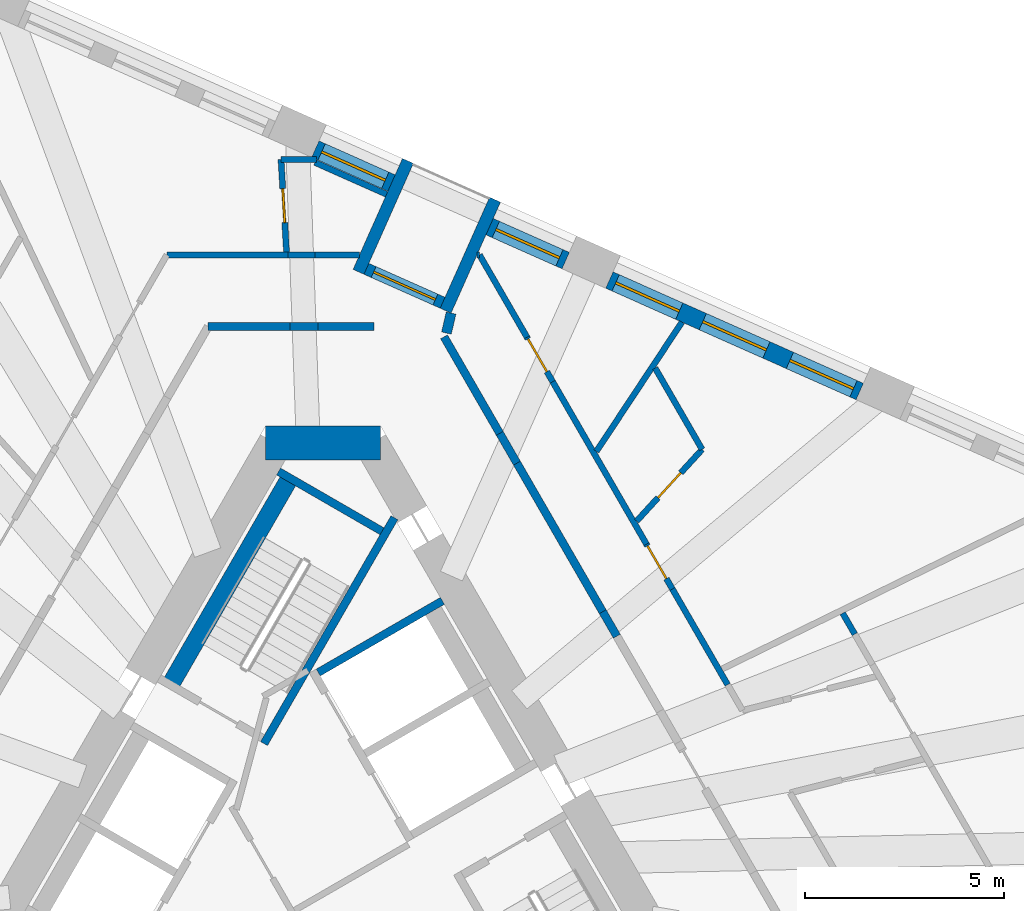
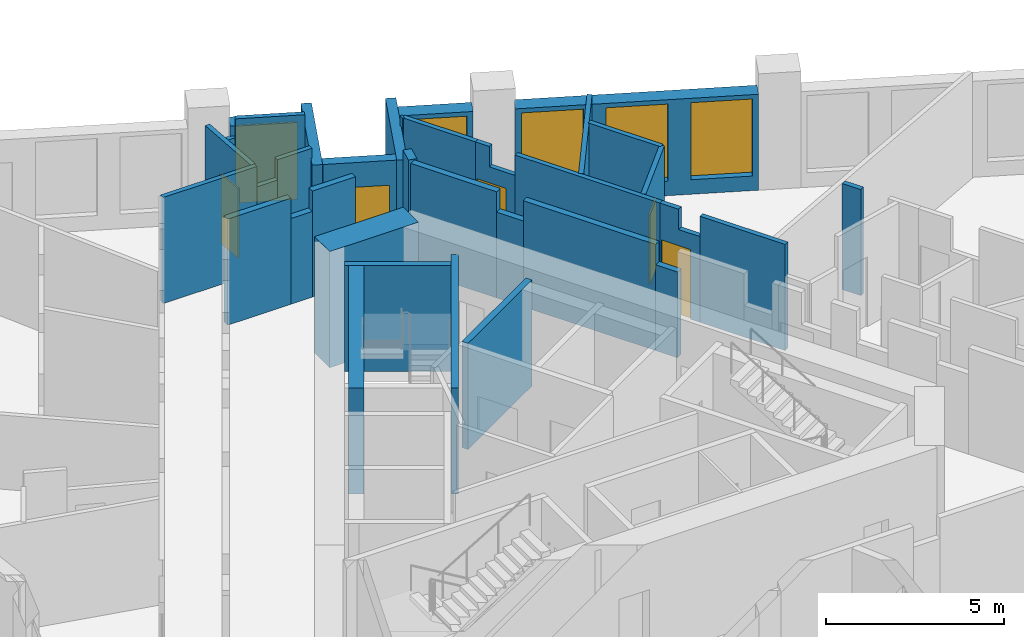
# One storey, part 8 of 14: 35 walls, 5 doors, 5 windows, 10 openings.
"""IFC4 building model written with IfcOpenShell, lengths in metres."""

from ifc_helpers import new_model, si_unit, direction, frame, frame_2d, origin, place, context, subcontext, project, spatial, polyline, rectangle, outline, extrude, material, layer, layer_set, type_object, element, fill, save


model = new_model("IFC4")

# Units and contexts
model_context = context("Model", 3, precision=1e-05, world=origin(), true_north=direction((0.0, 1.0)))
body_context = subcontext(model_context, "Body", "Model", "MODEL_VIEW")
ifc_project = project(units=[si_unit("LENGTHUNIT", "METRE"), si_unit("AREAUNIT", "SQUARE_METRE"), si_unit("VOLUMEUNIT", "CUBIC_METRE"), si_unit("PLANEANGLEUNIT", "RADIAN"), si_unit("MASSUNIT", "GRAM", prefix="KILO")], contexts=[model_context])

# Site, building, storey
site_placement = place(None, origin())
site = spatial("IfcSite", under=ifc_project, at=site_placement, CompositionType="ELEMENT")
building_placement = place(site_placement, origin())
building = spatial("IfcBuilding", under=site, at=building_placement, Name="Tramontana Tower", CompositionType="ELEMENT")
storey_placement = place(building_placement, frame((0.0, 0.0, 178.800048828125)))
storey = spatial("IfcBuildingStorey", under=building, at=storey_placement, Name="L41", CompositionType="ELEMENT", Elevation=178.800048828125)

# Walls
ifc_material_1 = material(Name="Concrete 70 MPa", Category="concrete")
ifc_layer_1 = layer(ifc_material_1, 0.85009765625)
ifc_layer_set_1 = layer_set([ifc_layer_1], Name="Core wall 850 70 MPa")
wall_type_1 = type_object("IfcWallType", Name="Core wall 850 70 MPa", PredefinedType="SHEAR", material=ifc_layer_set_1)
wall_1_placement = place(storey_placement, frame((1.443359375, 10.574951171875, 0.0), z_axis=(0.0, 0.0, 1.0), x_axis=(-1.0, 0.0, 0.0)))
element("IfcWall", 1, at=wall_1_placement, inside=storey, type_object=wall_type_1, Name="Core wall C0 L41", PredefinedType="SHEAR", context=body_context, shape_type="SweptSolid", body=[
    extrude(rectangle(XDim=2.88671875, YDim=0.85009765625, at=frame_2d((1.443359375, 0.0))), origin(), (0.0, 0.0, 1.0), 4.0),
])
ifc_material_2 = material(Name="Blockwork", Category="masonry")
ifc_layer_2 = layer(ifc_material_2, 0.199951171875)
ifc_layer_set_2 = layer_set([ifc_layer_2], Name="ENTRY WALL 200")
wall_type_2 = type_object("IfcWallType", Name="ENTRY WALL 200", PredefinedType="SOLIDWALL", material=ifc_layer_set_2)
wall_2_placement = place(storey_placement, frame((3.034912109375, 13.243408203125, 0.0), z_axis=(0.0, 0.0, 1.0), x_axis=(0.499976698542, -0.86603885647, 0.0)))
element("IfcWall", 2, at=wall_2_placement, inside=storey, type_object=wall_type_2, Name="Wall v41-ew0-0", PredefinedType="SOLIDWALL", context=body_context, shape_type="SweptSolid", body=[
    extrude(rectangle(XDim=2.798583984375, YDim=0.199951171875, at=frame_2d((1.3994140625, 0.0))), origin(), (0.0, 0.0, 1.0), 3.64990234375),
])
wall_3_placement = place(storey_placement, frame((4.43408203125, 10.81982421875, 0.0), z_axis=(0.0, 0.0, 1.0), x_axis=(0.500023708017, -0.866011715522, 0.0)))
element("IfcWall", 3, at=wall_3_placement, inside=storey, type_object=wall_type_2, Name="Wall v41-ew0-1", PredefinedType="SOLIDWALL", context=body_context, shape_type="SweptSolid", body=[
    extrude(rectangle(XDim=0.865234375, YDim=0.199951171875, at=frame_2d((0.4326171875, 0.0))), origin(), (0.0, 0.0, 1.0), 2.949951171875),
])
wall_4_placement = place(storey_placement, frame((4.86669921875, 10.070556640625, 0.0), z_axis=(0.0, 0.0, 1.0), x_axis=(0.499992344383, -0.866029823712, 0.0)))
element("IfcWall", 4, at=wall_4_placement, inside=storey, type_object=wall_type_2, Name="Wall v41-ew0-2", PredefinedType="SOLIDWALL", context=body_context, shape_type="SweptSolid", body=[
    extrude(rectangle(XDim=4.306640625, YDim=0.199951171875, at=frame_2d((2.1533203125, 0.0))), origin(), (0.0, 0.0, 1.0), 3.64990234375),
])
wall_5_placement = place(storey_placement, frame((7.02001953125, 6.3408203125, 0.0), z_axis=(0.0, 0.0, 1.0), x_axis=(0.50012879774, -0.865951029603, 0.0)))
element("IfcWall", 5, at=wall_5_placement, inside=storey, type_object=wall_type_2, Name="Wall v41-ew0-3", PredefinedType="SOLIDWALL", context=body_context, shape_type="SweptSolid", body=[
    extrude(rectangle(XDim=0.710693359375, YDim=0.199951171875, at=frame_2d((0.35546875, 0.0))), origin(), (0.0, 0.0, 1.0), 2.949951171875),
])
wall_6_placement = place(storey_placement, frame((-2.88671875, 13.5, 0.0), z_axis=(0.0, 0.0, 1.0), x_axis=(1.0, 0.0, 0.0)))
element("IfcWall", 6, at=wall_6_placement, inside=storey, type_object=wall_type_2, Name="Wall v41-ew5-0", PredefinedType="SOLIDWALL", context=body_context, shape_type="SweptSolid", body=[
    extrude(rectangle(XDim=2.057861328125, YDim=0.199951171875, at=frame_2d((1.02880859375, 0.0))), origin(), (0.0, 0.0, 1.0), 3.64990234375),
])
wall_7_placement = place(storey_placement, frame((-0.828857421875, 13.5, 0.0), z_axis=(0.0, 0.0, 1.0), x_axis=(1.0, 0.0, 0.0)))
element("IfcWall", 7, at=wall_7_placement, inside=storey, type_object=wall_type_2, Name="Wall v41-ew5-1", PredefinedType="SOLIDWALL", context=body_context, shape_type="SweptSolid", body=[
    extrude(rectangle(XDim=0.700439453125, YDim=0.199951171875, at=frame_2d((0.35009765625, 0.0))), origin(), (0.0, 0.0, 1.0), 2.949951171875),
])
wall_8_placement = place(storey_placement, frame((-0.12841796875, 13.5, 0.0), z_axis=(0.0, 0.0, 1.0), x_axis=(1.0, 0.0, 0.0)))
element("IfcWall", 8, at=wall_8_placement, inside=storey, type_object=wall_type_2, Name="Wall v41-ew5-2", PredefinedType="SOLIDWALL", context=body_context, shape_type="SweptSolid", body=[
    extrude(rectangle(XDim=1.39990234375, YDim=0.199951171875, at=frame_2d((0.699951171875, 0.0))), origin(), (0.0, 0.0, 1.0), 3.64990234375),
])

# Wall, openings, windows
ifc_material_3 = material(Name="Precast concrete 60 MPa", Category="concrete")
ifc_layer_3 = layer(ifc_material_3, 0.449951171875)
ifc_layer_set_3 = layer_set([ifc_layer_3], Name="Precast concrete 60 MPa, 450 mm")
wall_type_3 = type_object("IfcWallType", Name="EW1 Stone-faced precast wall 450", PredefinedType="SOLIDWALL", material=ifc_layer_set_3)
wall_9_placement = place(storey_placement, frame((13.475830078125, 11.8701171875, 0.0), z_axis=(0.0, 0.0, 1.0), x_axis=(-0.913543675585, 0.40674064562, 0.0)))
wall_9 = element("IfcWall", 9, at=wall_9_placement, inside=storey, type_object=wall_type_3, Name="External wall L41 face 2 bay 3", PredefinedType="SOLIDWALL", context=body_context, shape_type="SweptSolid", body=[
    extrude(rectangle(XDim=6.8828125, YDim=0.449951171875, at=frame_2d((3.44140625, 0.0))), origin(), (0.0, 0.0, 1.0), 3.300048828125),
])
opening_1_placement = place(wall_9_placement, frame((0.172119140625, 0.0, 0.5)))
opening_1 = element("IfcOpeningElement", 10, at=opening_1_placement, cuts=wall_9, Name="Opening M2", PredefinedType="OPENING", context=body_context, shape_type="SweptSolid", body=[
    extrude(rectangle(XDim=1.75, YDim=2.64990234375, at=frame_2d((0.875, 1.324951171875))), frame((0.0, 0.23486328125, 0.0), z_axis=(0.0, -1.0, 0.0), x_axis=(1.0, 0.0, 0.0)), (0.0, 0.0, 1.0), 0.469970703125),
])
opening_2_placement = place(wall_9_placement, frame((2.56640625, 0.0, 0.5)))
opening_2 = element("IfcOpeningElement", 11, at=opening_2_placement, cuts=wall_9, Name="Opening M2", PredefinedType="OPENING", context=body_context, shape_type="SweptSolid", body=[
    extrude(rectangle(XDim=1.75, YDim=2.64990234375, at=frame_2d((0.875, 1.324951171875))), frame((0.0, 0.23486328125, 0.0), z_axis=(0.0, -1.0, 0.0), x_axis=(1.0, 0.0, 0.0)), (0.0, 0.0, 1.0), 0.469970703125),
])
opening_3_placement = place(wall_9_placement, frame((4.960693359375, 0.0, 0.5)))
opening_3 = element("IfcOpeningElement", 12, at=opening_3_placement, cuts=wall_9, Name="Opening M2", PredefinedType="OPENING", context=body_context, shape_type="SweptSolid", body=[
    extrude(rectangle(XDim=1.75, YDim=2.64990234375, at=frame_2d((0.875, 1.324951171875))), frame((0.0, 0.23486328125, 0.0), z_axis=(0.0, -1.0, 0.0), x_axis=(1.0, 0.0, 0.0)), (0.0, 0.0, 1.0), 0.469970703125),
])
ifc_material_4 = material(Name="Aluminum frame, double glazing unit", Category="aluminium")
window_type = type_object("IfcWindowType", Name="M2 Window 1.75 x 2.65", PartitioningType="SINGLE_PANEL", PredefinedType="WINDOW", material=ifc_material_4)
window_1_placement = place(opening_1_placement, origin())
window_1 = element("IfcWindow", 13, at=window_1_placement, inside=storey, type_object=window_type, Name="Window M2 L41 face 2 module 7", OverallHeight=2.64990234375, OverallWidth=1.75, PartitioningType="SINGLE_PANEL", PredefinedType="WINDOW", context=body_context, shape_type="SweptSolid", body=[
    extrude(rectangle(XDim=1.75, YDim=2.64990234375, at=frame_2d((0.875, 1.324951171875))), frame((0.0, 0.030029296875, 0.0), z_axis=(0.0, -1.0, 0.0), x_axis=(1.0, 0.0, 0.0)), (0.0, 0.0, 1.0), 0.06005859375),
])
fill(opening_1, window_1)
window_2_placement = place(opening_2_placement, origin())
window_2 = element("IfcWindow", 14, at=window_2_placement, inside=storey, type_object=window_type, Name="Window M2 L41 face 2 module 8", OverallHeight=2.64990234375, OverallWidth=1.75, PartitioningType="SINGLE_PANEL", PredefinedType="WINDOW", context=body_context, shape_type="SweptSolid", body=[
    extrude(rectangle(XDim=1.75, YDim=2.64990234375, at=frame_2d((0.875, 1.324951171875))), frame((0.0, 0.030029296875, 0.0), z_axis=(0.0, -1.0, 0.0), x_axis=(1.0, 0.0, 0.0)), (0.0, 0.0, 1.0), 0.06005859375),
])
fill(opening_2, window_2)
window_3_placement = place(opening_3_placement, origin())
window_3 = element("IfcWindow", 15, at=window_3_placement, inside=storey, type_object=window_type, Name="Window M2 L41 face 2 module 9", OverallHeight=2.64990234375, OverallWidth=1.75, PartitioningType="SINGLE_PANEL", PredefinedType="WINDOW", context=body_context, shape_type="SweptSolid", body=[
    extrude(rectangle(XDim=1.75, YDim=2.64990234375, at=frame_2d((0.875, 1.324951171875))), frame((0.0, 0.030029296875, 0.0), z_axis=(0.0, -1.0, 0.0), x_axis=(1.0, 0.0, 0.0)), (0.0, 0.0, 1.0), 0.06005859375),
])
fill(opening_3, window_3)

# Wall, opening, window
wall_10_placement = place(storey_placement, frame((6.091796875, 15.15771484375, 0.0), z_axis=(0.0, 0.0, 1.0), x_axis=(-0.913537312596, 0.406754936657, 0.0)))
wall_10 = element("IfcWall", 16, at=wall_10_placement, inside=storey, type_object=wall_type_3, Name="External wall L41 face 2 bay 4", PredefinedType="SOLIDWALL", context=body_context, shape_type="SweptSolid", body=[
    extrude(rectangle(XDim=2.09423828125, YDim=0.449951171875, at=frame_2d((1.047119140625, 0.0))), origin(), (0.0, 0.0, 1.0), 3.300048828125),
])
opening_4_placement = place(wall_10_placement, frame((0.172119140625, 0.0, 0.5)))
opening_4 = element("IfcOpeningElement", 17, at=opening_4_placement, cuts=wall_10, Name="Opening M2", PredefinedType="OPENING", context=body_context, shape_type="SweptSolid", body=[
    extrude(rectangle(XDim=1.75, YDim=2.64990234375, at=frame_2d((0.875, 1.324951171875))), frame((0.0, 0.23486328125, 0.0), z_axis=(0.0, -1.0, 0.0), x_axis=(1.0, 0.0, 0.0)), (0.0, 0.0, 1.0), 0.469970703125),
])
window_4_placement = place(opening_4_placement, origin())
window_4 = element("IfcWindow", 18, at=window_4_placement, inside=storey, type_object=window_type, Name="Window M2 L41 face 2 module 10", OverallHeight=2.64990234375, OverallWidth=1.75, PartitioningType="SINGLE_PANEL", PredefinedType="WINDOW", context=body_context, shape_type="SweptSolid", body=[
    extrude(rectangle(XDim=1.75, YDim=2.64990234375, at=frame_2d((0.875, 1.324951171875))), frame((0.0, 0.030029296875, 0.0), z_axis=(0.0, -1.0, 0.0), x_axis=(1.0, 0.0, 0.0)), (0.0, 0.0, 1.0), 0.06005859375),
])
fill(opening_4, window_4)

wall_11_placement = place(storey_placement, frame((1.71728515625, 17.10546875, 0.0), z_axis=(0.0, 0.0, 1.0), x_axis=(-0.913556597974, 0.40671162056, 0.0)))
wall_11 = element("IfcWall", 19, at=wall_11_placement, inside=storey, type_object=wall_type_3, Name="External wall L41 face 2 bay 4", PredefinedType="SOLIDWALL", context=body_context, shape_type="SweptSolid", body=[
    extrude(rectangle(XDim=2.094482421875, YDim=0.449951171875, at=frame_2d((1.04736328125, 0.0))), origin(), (0.0, 0.0, 1.0), 3.300048828125),
])
opening_5_placement = place(wall_11_placement, frame((0.172119140625, 0.0, 0.5)))
opening_5 = element("IfcOpeningElement", 20, at=opening_5_placement, cuts=wall_11, Name="Opening M2", PredefinedType="OPENING", context=body_context, shape_type="SweptSolid", body=[
    extrude(rectangle(XDim=1.75, YDim=2.64990234375, at=frame_2d((0.875, 1.324951171875))), frame((0.0, 0.23486328125, 0.0), z_axis=(0.0, -1.0, 0.0), x_axis=(1.0, 0.0, 0.0)), (0.0, 0.0, 1.0), 0.469970703125),
])
window_5_placement = place(opening_5_placement, origin())
window_5 = element("IfcWindow", 21, at=window_5_placement, inside=storey, type_object=window_type, Name="Window M2 L41 face 2 module 12", OverallHeight=2.64990234375, OverallWidth=1.75, PartitioningType="SINGLE_PANEL", PredefinedType="WINDOW", context=body_context, shape_type="SweptSolid", body=[
    extrude(rectangle(XDim=1.75, YDim=2.64990234375, at=frame_2d((0.875, 1.324951171875))), frame((0.0, 0.030029296875, 0.0), z_axis=(0.0, -1.0, 0.0), x_axis=(1.0, 0.0, 0.0)), (0.0, 0.0, 1.0), 0.06005859375),
])
fill(opening_5, window_5)

# Wall, opening, door
ifc_material_5 = material(Name="Precast concrete 60 MPa", Category="concrete")
ifc_layer_4 = layer(ifc_material_5, 0.300048828125)
ifc_layer_set_4 = layer_set([ifc_layer_4], Name="LW1 Stone-faced loggia wall 300")
wall_type_4 = type_object("IfcWallType", Name="LW1 Stone-faced loggia wall 300", PredefinedType="SOLIDWALL", material=ifc_layer_set_4)
wall_12_placement = place(storey_placement, frame((2.99951171875, 14.098876953125, 0.0), z_axis=(0.0, 0.0, 1.0), x_axis=(-0.913537312596, 0.406754936657, 0.0)))
wall_12 = element("IfcWall", 22, at=wall_12_placement, inside=storey, type_object=wall_type_4, Name="Loggia wall L41 G4S2.10", PredefinedType="SOLIDWALL", context=body_context, shape_type="SweptSolid", body=[
    extrude(rectangle(XDim=2.09423828125, YDim=0.300048828125, at=frame_2d((1.047119140625, 0.0))), origin(), (0.0, 0.0, 1.0), 3.300048828125),
])
opening_6_placement = place(wall_12_placement, frame((0.197265625, 0.0, 0.0)))
opening_6 = element("IfcOpeningElement", 23, at=opening_6_placement, cuts=wall_12, Name="Opening BD-4S2-10", PredefinedType="OPENING", context=body_context, shape_type="SweptSolid", body=[
    extrude(rectangle(XDim=1.699951171875, YDim=2.449951171875, at=frame_2d((0.85009765625, 1.22509765625))), frame((0.0, 0.159912109375, 0.0), z_axis=(0.0, -1.0, 0.0), x_axis=(1.0, 0.0, 0.0)), (0.0, 0.0, 1.0), 0.320068359375),
])
ifc_material_6 = material(Name="Aluminum frame, double glazing unit", Category="aluminium")
door_type_1 = type_object("IfcDoorType", Name="BD2 Sliding door 1.7 x 2.45", OperationType="SLIDING_TO_LEFT", PredefinedType="DOOR", material=ifc_material_6)
door_1_placement = place(opening_6_placement, origin())
door_1 = element("IfcDoor", 24, at=door_1_placement, inside=storey, type_object=door_type_1, Name="Loggia door L41 G4S2.10", OperationType="SLIDING_TO_LEFT", OverallHeight=2.449951171875, OverallWidth=1.699951171875, PredefinedType="DOOR", context=body_context, shape_type="SweptSolid", body=[
    extrude(rectangle(XDim=1.699951171875, YDim=2.449951171875, at=frame_2d((0.85009765625, 1.22509765625))), frame((0.0, 0.02490234375, 0.0), z_axis=(0.0, -1.0, 0.0), x_axis=(1.0, 0.0, 0.0)), (0.0, 0.0, 1.0), 0.050048828125),
])
fill(opening_6, door_1)

# Walls
wall_13_placement = place(storey_placement, frame((4.316162109375, 16.687255859375, 0.0), z_axis=(0.0, 0.0, 1.0), x_axis=(-0.406710256677, -0.913557205168, 0.0)))
element("IfcWall", 25, at=wall_13_placement, inside=storey, type_object=wall_type_4, Name="Loggia return L41 G4S2.10a", PredefinedType="SOLIDWALL", context=body_context, shape_type="SweptSolid", body=[
    extrude(rectangle(XDim=3.050048828125, YDim=0.300048828125, at=frame_2d((1.52490234375, 0.0))), origin(), (0.0, 0.0, 1.0), 3.300048828125),
])
wall_14_placement = place(storey_placement, frame((2.12890625, 17.660888671875, 0.0), z_axis=(0.0, 0.0, 1.0), x_axis=(-0.406806804169, -0.913514216683, 0.0)))
element("IfcWall", 26, at=wall_14_placement, inside=storey, type_object=wall_type_4, Name="Loggia return L41 G4S2.10b", PredefinedType="SOLIDWALL", context=body_context, shape_type="SweptSolid", body=[
    extrude(rectangle(XDim=3.0498046875, YDim=0.300048828125, at=frame_2d((1.52490234375, 0.0))), origin(), (0.0, 0.0, 1.0), 3.300048828125),
])
ifc_material_7 = material(Name="Gypsum board partition")
ifc_layer_5 = layer(ifc_material_7, 0.14990234375)
ifc_layer_set_5 = layer_set([ifc_layer_5], Name="PARTITION 150")
wall_type_5 = type_object("IfcWallType", Name="PARTITION 150", PredefinedType="PARTITIONING", material=ifc_layer_set_5)
wall_15_placement = place(storey_placement, frame((-3.92578125, 15.300048828125, 0.0), z_axis=(0.0, 0.0, 1.0), x_axis=(1.0, 0.0, 0.0)))
element("IfcWall", 27, at=wall_15_placement, inside=storey, type_object=wall_type_5, Name="Wall v41-pw23-0", PredefinedType="PARTITIONING", context=body_context, shape_type="SweptSolid", body=[
    extrude(rectangle(XDim=3.045654296875, YDim=0.14990234375, at=frame_2d((1.52294921875, 0.0))), origin(), (0.0, 0.0, 1.0), 3.64990234375),
])
wall_16_placement = place(storey_placement, frame((-0.880126953125, 15.300048828125, 0.0), z_axis=(0.0, 0.0, 1.0), x_axis=(1.0, 0.0, 0.0)))
element("IfcWall", 28, at=wall_16_placement, inside=storey, type_object=wall_type_5, Name="Wall v41-pw23-1", PredefinedType="PARTITIONING", context=body_context, shape_type="SweptSolid", body=[
    extrude(rectangle(XDim=0.67529296875, YDim=0.14990234375, at=frame_2d((0.337646484375, 0.0))), origin(), (0.0, 0.0, 1.0), 2.949951171875),
])
wall_17_placement = place(storey_placement, frame((-0.204833984375, 15.300048828125, 0.0), z_axis=(0.0, 0.0, 1.0), x_axis=(1.0, 0.0, 0.0)))
element("IfcWall", 29, at=wall_17_placement, inside=storey, type_object=wall_type_5, Name="Wall v41-pw23-2", PredefinedType="PARTITIONING", context=body_context, shape_type="SweptSolid", body=[
    extrude(rectangle(XDim=1.1181640625, YDim=0.14990234375, at=frame_2d((0.55908203125, 0.0))), origin(), (0.0, 0.0, 1.0), 3.64990234375),
])
wall_18_placement = place(storey_placement, frame((-1.05859375, 17.699951171875, 0.0), z_axis=(0.0, 0.0, 1.0), x_axis=(1.0, 0.0, 0.0)))
element("IfcWall", 30, at=wall_18_placement, inside=storey, type_object=wall_type_5, Name="Wall v41-pw25-0", PredefinedType="PARTITIONING", context=body_context, shape_type="SweptSolid", body=[
    extrude(rectangle(XDim=0.88720703125, YDim=0.14990234375, at=frame_2d((0.443603515625, 0.0))), origin(), (0.0, 0.0, 1.0), 2.949951171875),
])

# Wall, opening, door
wall_19_placement = place(storey_placement, frame((-1.05859375, 17.699951171875, 0.0), z_axis=(0.0, 0.0, 1.0), x_axis=(0.059643707448, -0.998219729399, 0.0)))
wall_19 = element("IfcWall", 31, at=wall_19_placement, inside=storey, type_object=wall_type_5, Name="Wall v41-pw27", PredefinedType="PARTITIONING", context=body_context, shape_type="SweptSolid", body=[
    extrude(rectangle(XDim=2.3291015625, YDim=0.14990234375, at=frame_2d((1.16455078125, 0.0))), origin(), (0.0, 0.0, 1.0), 3.64990234375),
])
opening_7_placement = place(wall_19_placement, frame((0.739501953125, 0.0, 0.0)))
opening_7 = element("IfcOpeningElement", 32, at=opening_7_placement, cuts=wall_19, Name="Opening B4B-06", PredefinedType="OPENING", context=body_context, shape_type="SweptSolid", body=[
    extrude(rectangle(XDim=0.85009765625, YDim=2.39990234375, at=frame_2d((0.425048828125, 1.199951171875))), frame((0.0, 0.0849609375, 0.0), z_axis=(0.0, -1.0, 0.0), x_axis=(1.0, 0.0, 0.0)), (0.0, 0.0, 1.0), 0.169921875),
])
ifc_material_8 = material(Name="Painted timber", Category="wood")
door_type_2 = type_object("IfcDoorType", Name="DOOR BATH 850", OperationType="SINGLE_SWING_LEFT", PredefinedType="DOOR", material=ifc_material_8)
door_2_placement = place(opening_7_placement, origin())
door_2 = element("IfcDoor", 33, at=door_2_placement, inside=storey, type_object=door_type_2, Name="Door B4B-06", OperationType="SINGLE_SWING_RIGHT", OverallHeight=2.39990234375, OverallWidth=0.85009765625, PredefinedType="DOOR", context=body_context, shape_type="SweptSolid", body=[
    extrude(rectangle(XDim=0.85009765625, YDim=2.39990234375, at=frame_2d((0.425048828125, 1.199951171875))), frame((0.0, 0.02490234375, 0.0), z_axis=(0.0, -1.0, 0.0), x_axis=(1.0, 0.0, 0.0)), (0.0, 0.0, 1.0), 0.050048828125),
])
fill(opening_7, door_2)

# Walls
wall_20_placement = place(storey_placement, frame((-0.2060546875, 17.622314453125, 0.0), z_axis=(0.0, 0.0, 1.0), x_axis=(0.91356059905, -0.406702633214, 0.0)))
element("IfcWall", 34, at=wall_20_placement, inside=storey, type_object=wall_type_5, Name="Wall v41-pw29", PredefinedType="PARTITIONING", context=body_context, shape_type="SweptSolid", body=[
    extrude(rectangle(XDim=1.967041015625, YDim=0.14990234375, at=frame_2d((0.9833984375, 0.0))), origin(), (0.0, 0.0, 1.0), 3.64990234375),
])
wall_21_placement = place(storey_placement, frame((3.86279296875, 15.300048828125, 0.0), z_axis=(0.0, 0.0, 1.0), x_axis=(1.0, 0.0, 0.0)))
element("IfcWall", 35, at=wall_21_placement, inside=storey, type_object=wall_type_5, Name="Wall v41-pw32", PredefinedType="PARTITIONING", context=body_context, shape_type="SweptSolid", body=[
    extrude(rectangle(XDim=0.063232421875, YDim=0.14990234375, at=frame_2d((0.03173828125, 0.0))), origin(), (0.0, 0.0, 1.0), 3.64990234375),
])
wall_22_placement = place(storey_placement, frame((3.926025390625, 15.300048828125, 0.0), z_axis=(0.0, 0.0, 1.0), x_axis=(0.499958704643, -0.866049244357, 0.0)))
element("IfcWall", 36, at=wall_22_placement, inside=storey, type_object=wall_type_5, Name="Wall v41-pw33-0", PredefinedType="PARTITIONING", context=body_context, shape_type="SweptSolid", body=[
    extrude(rectangle(XDim=2.385498046875, YDim=0.14990234375, at=frame_2d((1.19287109375, 0.0))), origin(), (0.0, 0.0, 1.0), 3.64990234375),
])

# Wall, opening, door
wall_23_placement = place(storey_placement, frame((5.11865234375, 13.234130859375, 0.0), z_axis=(0.0, 0.0, 1.0), x_axis=(0.49998445949, -0.866034375916, 0.0)))
wall_23 = element("IfcWall", 37, at=wall_23_placement, inside=storey, type_object=wall_type_5, Name="Wall v41-pw33-1", PredefinedType="PARTITIONING", context=body_context, shape_type="SweptSolid", body=[
    extrude(outline(polyline([(0.0, 0.0), (1.29052734375, 0.0), (1.29052734375, 2.949951171875), (0.456298828125, 2.949951171875), (0.456298828125, 3.64990234375), (0.0, 3.64990234375), (0.0, 0.0)])), frame((0.0, 0.074951171875, 0.0), z_axis=(0.0, -1.0, 0.0), x_axis=(1.0, 0.0, 0.0)), (0.0, 0.0, 1.0), 0.14990234375),
])
opening_8_placement = place(wall_23_placement, frame((0.050048828125, 0.0, 0.0)))
opening_8 = element("IfcOpeningElement", 38, at=opening_8_placement, cuts=wall_23, Name="Opening B4B-20", PredefinedType="OPENING", context=body_context, shape_type="SweptSolid", body=[
    extrude(rectangle(XDim=0.949951171875, YDim=2.39990234375, at=frame_2d((0.47509765625, 1.199951171875))), frame((0.0, 0.0849609375, 0.0), z_axis=(0.0, -1.0, 0.0), x_axis=(1.0, 0.0, 0.0)), (0.0, 0.0, 1.0), 0.169921875),
])
ifc_material_9 = material(Name="Painted timber", Category="wood")
door_type_3 = type_object("IfcDoorType", Name="DOOR ROOM 950", OperationType="SINGLE_SWING_LEFT", PredefinedType="DOOR", material=ifc_material_9)
door_3_placement = place(opening_8_placement, origin())
door_3 = element("IfcDoor", 39, at=door_3_placement, inside=storey, type_object=door_type_3, Name="Door B4B-20", OperationType="SINGLE_SWING_RIGHT", OverallHeight=2.39990234375, OverallWidth=0.949951171875, PredefinedType="DOOR", context=body_context, shape_type="SweptSolid", body=[
    extrude(rectangle(XDim=0.949951171875, YDim=2.39990234375, at=frame_2d((0.47509765625, 1.199951171875))), frame((0.0, 0.02490234375, 0.0), z_axis=(0.0, -1.0, 0.0), x_axis=(1.0, 0.0, 0.0)), (0.0, 0.0, 1.0), 0.050048828125),
])
fill(opening_8, door_3)

# Wall
wall_24_placement = place(storey_placement, frame((5.763916015625, 12.116455078125, 0.0), z_axis=(0.0, 0.0, 1.0), x_axis=(0.500024556659, -0.866011225527, 0.0)))
element("IfcWall", 40, at=wall_24_placement, inside=storey, type_object=wall_type_5, Name="Wall v41-pw33-2", PredefinedType="PARTITIONING", context=body_context, shape_type="SweptSolid", body=[
    extrude(rectangle(XDim=4.710205078125, YDim=0.14990234375, at=frame_2d((2.35498046875, 0.0))), origin(), (0.0, 0.0, 1.0), 3.64990234375),
])

# Wall, opening, door
wall_25_placement = place(storey_placement, frame((8.119140625, 8.037353515625, 0.0), z_axis=(0.0, 0.0, 1.0), x_axis=(0.499993127296, -0.866029371706, 0.0)))
wall_25 = element("IfcWall", 41, at=wall_25_placement, inside=storey, type_object=wall_type_5, Name="Wall v41-pw33-3", PredefinedType="PARTITIONING", context=body_context, shape_type="SweptSolid", body=[
    extrude(outline(polyline([(0.0, 0.0), (1.30126953125, 0.0), (1.30126953125, 2.949951171875), (0.615966796875, 2.949951171875), (0.615966796875, 3.64990234375), (0.0, 3.64990234375), (0.0, 0.0)])), frame((0.0, 0.074951171875, 0.0), z_axis=(0.0, -1.0, 0.0), x_axis=(1.0, 0.0, 0.0)), (0.0, 0.0, 1.0), 0.14990234375),
])
opening_9_placement = place(wall_25_placement, frame((0.050048828125, 0.0, 0.0)))
opening_9 = element("IfcOpeningElement", 42, at=opening_9_placement, cuts=wall_25, Name="Opening B4B-19", PredefinedType="OPENING", context=body_context, shape_type="SweptSolid", body=[
    extrude(rectangle(XDim=0.949951171875, YDim=2.39990234375, at=frame_2d((0.47509765625, 1.199951171875))), frame((0.0, 0.0849609375, 0.0), z_axis=(0.0, -1.0, 0.0), x_axis=(1.0, 0.0, 0.0)), (0.0, 0.0, 1.0), 0.169921875),
])
door_4_placement = place(opening_9_placement, origin())
door_4 = element("IfcDoor", 43, at=door_4_placement, inside=storey, type_object=door_type_3, Name="Door B4B-19", OperationType="SINGLE_SWING_LEFT", OverallHeight=2.39990234375, OverallWidth=0.949951171875, PredefinedType="DOOR", context=body_context, shape_type="SweptSolid", body=[
    extrude(rectangle(XDim=0.949951171875, YDim=2.39990234375, at=frame_2d((0.47509765625, 1.199951171875))), frame((0.0, 0.02490234375, 0.0), z_axis=(0.0, -1.0, 0.0), x_axis=(1.0, 0.0, 0.0)), (0.0, 0.0, 1.0), 0.050048828125),
])
fill(opening_9, door_4)

# Walls
wall_26_placement = place(storey_placement, frame((8.769775390625, 6.910400390625, 0.0), z_axis=(0.0, 0.0, 1.0), x_axis=(0.50000932403, -0.866020020486, 0.0)))
element("IfcWall", 44, at=wall_26_placement, inside=storey, type_object=wall_type_5, Name="Wall v41-pw33-4", PredefinedType="PARTITIONING", context=body_context, shape_type="SweptSolid", body=[
    extrude(rectangle(XDim=2.77490234375, YDim=0.14990234375, at=frame_2d((1.387451171875, 0.0))), origin(), (0.0, 0.0, 1.0), 3.64990234375),
])
wall_27_placement = place(storey_placement, frame((6.861328125, 10.365966796875, 0.0), z_axis=(0.0, 0.0, 1.0), x_axis=(0.551889349285, 0.833917349709, 0.0)))
element("IfcWall", 45, at=wall_27_placement, inside=storey, type_object=wall_type_5, Name="Wall v41-pw38", PredefinedType="PARTITIONING", context=body_context, shape_type="SweptSolid", body=[
    extrude(rectangle(XDim=3.892822265625, YDim=0.14990234375, at=frame_2d((1.9462890625, 0.0))), origin(), (0.0, 0.0, 1.0), 3.64990234375),
])
wall_28_placement = place(storey_placement, frame((8.3369140625, 12.4599609375, 0.0), z_axis=(0.0, 0.0, 1.0), x_axis=(0.500032858622, -0.866006432019, 0.0)))
element("IfcWall", 46, at=wall_28_placement, inside=storey, type_object=wall_type_5, Name="Wall v41-pw39", PredefinedType="PARTITIONING", context=body_context, shape_type="SweptSolid", body=[
    extrude(rectangle(XDim=2.360107421875, YDim=0.14990234375, at=frame_2d((1.18017578125, 0.0))), origin(), (0.0, 0.0, 1.0), 3.64990234375),
])

# Wall, opening, door
wall_29_placement = place(storey_placement, frame((7.871826171875, 8.615478515625, 0.0), z_axis=(0.0, 0.0, 1.0), x_axis=(0.674558873368, 0.738221055214, 0.0)))
wall_29 = element("IfcWall", 47, at=wall_29_placement, inside=storey, type_object=wall_type_5, Name="Wall v41-pw40", PredefinedType="PARTITIONING", context=body_context, shape_type="SweptSolid", body=[
    extrude(rectangle(XDim=2.43896484375, YDim=0.14990234375, at=frame_2d((1.219482421875, 0.0))), origin(), (0.0, 0.0, 1.0), 3.64990234375),
])
opening_10_placement = place(wall_29_placement, frame((0.79443359375, 0.0, 0.0)))
opening_10 = element("IfcOpeningElement", 48, at=opening_10_placement, cuts=wall_29, Name="Opening B4B-22", PredefinedType="OPENING", context=body_context, shape_type="SweptSolid", body=[
    extrude(rectangle(XDim=0.85009765625, YDim=2.39990234375, at=frame_2d((0.425048828125, 1.199951171875))), frame((0.0, 0.0849609375, 0.0), z_axis=(0.0, -1.0, 0.0), x_axis=(1.0, 0.0, 0.0)), (0.0, 0.0, 1.0), 0.169921875),
])
door_5_placement = place(opening_10_placement, origin())
door_5 = element("IfcDoor", 49, at=door_5_placement, inside=storey, type_object=door_type_2, Name="Door B4B-22", OperationType="SINGLE_SWING_RIGHT", OverallHeight=2.39990234375, OverallWidth=0.85009765625, PredefinedType="DOOR", context=body_context, shape_type="SweptSolid", body=[
    extrude(rectangle(XDim=0.85009765625, YDim=2.39990234375, at=frame_2d((0.425048828125, 1.199951171875))), frame((0.0, 0.02490234375, 0.0), z_axis=(0.0, -1.0, 0.0), x_axis=(1.0, 0.0, 0.0)), (0.0, 0.0, 1.0), 0.050048828125),
])
fill(opening_10, door_5)

# Walls
wall_30_placement = place(storey_placement, frame((13.046875, 6.30224609375, 0.0), z_axis=(0.0, 0.0, 1.0), x_axis=(0.500116839517, -0.865957935948, 0.0)))
element("IfcWall", 50, at=wall_30_placement, inside=storey, type_object=wall_type_5, Name="Wall v41-pw44-0", PredefinedType="PARTITIONING", context=body_context, shape_type="SweptSolid", body=[
    extrude(rectangle(XDim=0.607177734375, YDim=0.14990234375, at=frame_2d((0.3037109375, 0.0))), origin(), (0.0, 0.0, 1.0), 3.64990234375),
])
ifc_material_10 = material(Name="Blockwork", Category="masonry")
ifc_layer_6 = layer(ifc_material_10, 0.25)
ifc_layer_set_6 = layer_set([ifc_layer_6], Name="PARTY WALL 250")
wall_type_6 = type_object("IfcWallType", Name="PARTY WALL 250", PredefinedType="SOLIDWALL", material=ifc_layer_set_6)
wall_31_placement = place(storey_placement, frame((3.212646484375, 13.83984375, 0.0), z_axis=(0.0, 0.0, 1.0), x_axis=(-0.226346335248, -0.974046886202, 0.0)))
element("IfcWall", 51, at=wall_31_placement, inside=storey, type_object=wall_type_6, Name="Wall v41-pw30", PredefinedType="SOLIDWALL", context=body_context, shape_type="SweptSolid", body=[
    extrude(rectangle(XDim=0.515625, YDim=0.25, at=frame_2d((0.2578125, 0.0))), origin(), (0.0, 0.0, 1.0), 3.64990234375),
])
ifc_material_11 = material(Name="Concrete 70 MPa", Category="concrete")
ifc_layer_7 = layer(ifc_material_11, 0.449951171875)
ifc_layer_set_7 = layer_set([ifc_layer_7], Name="Concrete 70 MPa, 450 mm")
wall_type_7 = type_object("IfcWallType", Name="RC SHAFT BACK WALL 450", PredefinedType="SOLIDWALL", material=ifc_layer_set_7)
wall_32_placement = place(storey_placement, frame((-0.7880859375, 9.784912109375, 0.0), z_axis=(0.0, 0.0, 1.0), x_axis=(-0.500009909098, -0.866019682689, 0.0)))
element("IfcWall", 52, at=wall_32_placement, inside=storey, type_object=wall_type_7, Name="Wall st1-back", PredefinedType="SOLIDWALL", context=body_context, shape_type="SweptSolid", body=[
    extrude(rectangle(XDim=6.199951171875, YDim=0.449951171875, at=frame_2d((3.10009765625, 0.0))), origin(), (0.0, 0.0, 1.0), 3.64990234375),
])
ifc_material_12 = material(Name="Concrete 70 MPa", Category="concrete")
ifc_layer_8 = layer(ifc_material_12, 0.199951171875)
ifc_layer_set_8 = layer_set([ifc_layer_8], Name="Concrete 70 MPa, 200 mm")
wall_type_8 = type_object("IfcWallType", Name="RC STAIR AND SHAFT WALL 200", PredefinedType="SOLIDWALL", material=ifc_layer_set_8)
wall_33_placement = place(storey_placement, frame((1.789794921875, 8.699951171875, 0.0), z_axis=(0.0, 0.0, 1.0), x_axis=(-0.499999959354, -0.866025427251, 0.0)))
element("IfcWall", 53, at=wall_33_placement, inside=storey, type_object=wall_type_8, Name="Wall st1-front", PredefinedType="SOLIDWALL", context=body_context, shape_type="SweptSolid", body=[
    extrude(rectangle(XDim=6.54931640625, YDim=0.199951171875, at=frame_2d((3.274658203125, 0.0))), origin(), (0.0, 0.0, 1.0), 3.64990234375),
])
wall_34_placement = place(storey_placement, frame((1.478515625, 8.36083984375, 0.0), z_axis=(0.0, 0.0, 1.0), x_axis=(-0.866031096941, 0.499990139034, 0.0)))
element("IfcWall", 54, at=wall_34_placement, inside=storey, type_object=wall_type_8, Name="Wall st1-far", PredefinedType="SOLIDWALL", context=body_context, shape_type="SweptSolid", body=[
    extrude(rectangle(XDim=3.0, YDim=0.199951171875, at=frame_2d((1.5, 0.0))), origin(), (0.0, 0.0, 1.0), 3.64990234375),
])
wall_35_placement = place(storey_placement, frame((-0.123046875, 4.813232421875, 0.0), z_axis=(0.0, 0.0, 1.0), x_axis=(0.866018442252, 0.500012057535, 0.0)))
element("IfcWall", 55, at=wall_35_placement, inside=storey, type_object=wall_type_8, Name="Wall row2-side2", PredefinedType="SOLIDWALL", context=body_context, shape_type="SweptSolid", body=[
    extrude(rectangle(XDim=3.60009765625, YDim=0.199951171875, at=frame_2d((1.800048828125, 0.0))), origin(), (0.0, 0.0, 1.0), 3.64990234375),
])

save(model, "model.ifc")
